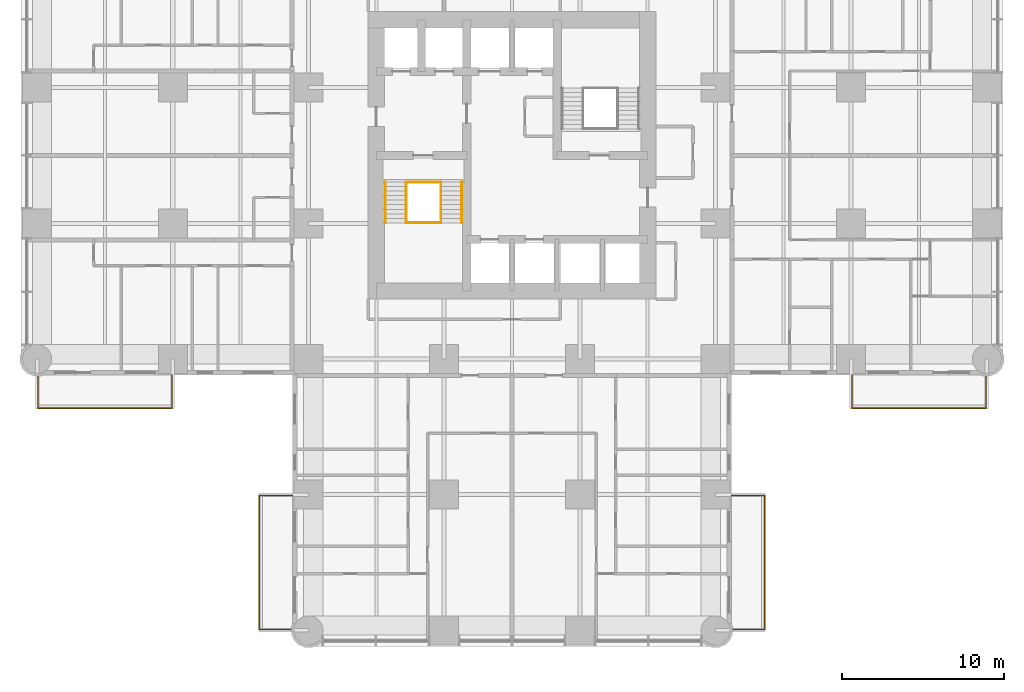
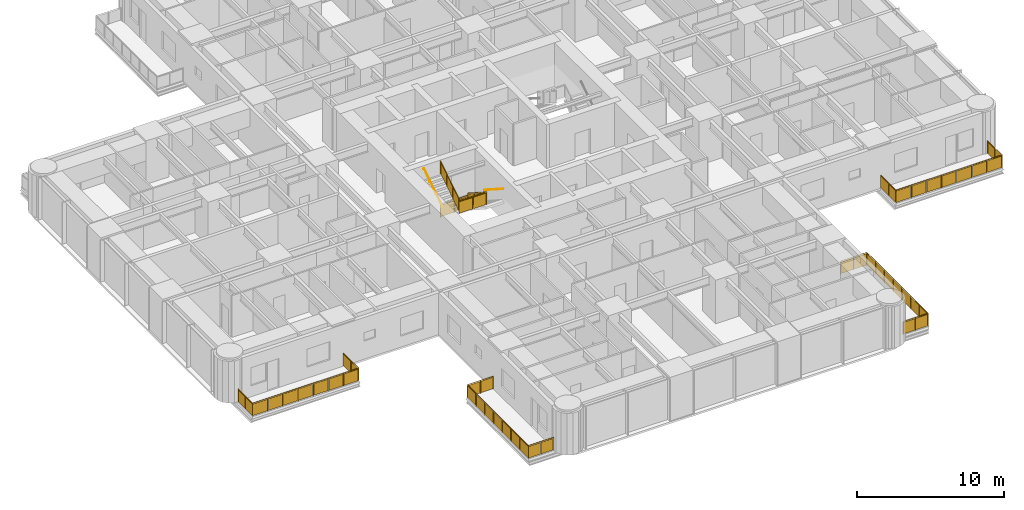
# One storey, part 16 of 17: 10 railings.
"""IFC4 building model written with IfcOpenShell, lengths in metres."""

from ifc_helpers import new_model, si_unit, direction, frame, origin, origin_2d, place, context, subcontext, project, spatial, polyline, circle, outline, extrude, material, constituent, constituent_set, type_object, element, save


model = new_model("IFC4")

# Units and contexts
model_context = context("Model", 3, precision=1e-05, world=origin(), true_north=direction((0.0, 1.0)))
body_context = subcontext(model_context, "Body", "Model", "MODEL_VIEW")
ifc_project = project(units=[si_unit("LENGTHUNIT", "METRE"), si_unit("AREAUNIT", "SQUARE_METRE"), si_unit("VOLUMEUNIT", "CUBIC_METRE"), si_unit("PLANEANGLEUNIT", "RADIAN"), si_unit("MASSUNIT", "GRAM", prefix="KILO")], contexts=[model_context])

# Site, building, storey
site_placement = place(None, origin())
site = spatial("IfcSite", under=ifc_project, at=site_placement, CompositionType="ELEMENT")
building_placement = place(site_placement, origin())
building = spatial("IfcBuilding", under=site, at=building_placement, Name="Torre Alcanfor", CompositionType="ELEMENT")
storey_placement = place(building_placement, frame((0.0, 0.0, 74.10009765625)))
storey = spatial("IfcBuildingStorey", under=building, at=storey_placement, Name="L18", CompositionType="ELEMENT", Elevation=74.10009765625)

# Railings
ifc_material_1 = material(Name="Laminated safety glass", Category="glass")
ifc_constituent_1 = constituent(ifc_material_1, Name="Infill")
ifc_material_2 = material(Name="Stainless steel ASTM A554 Grade MT 316L tube", Category="steel")
ifc_constituent_2 = constituent(ifc_material_2, Name="Posts and rail")
ifc_constituent_set = constituent_set(constituents=[ifc_constituent_1, ifc_constituent_2], Name="Balcony guard glass 1100")
railing_type_1 = type_object("IfcRailingType", Name="Balcony guard glass 1100", PredefinedType="BALUSTRADE", material=ifc_constituent_set)
railing_1_placement = place(storey_placement, frame((50.449951171875, 15.800048828125, 0.0)))
element("IfcRailing", 1, at=railing_1_placement, inside=storey, type_object=railing_type_1, Name="Balcony guard L18-E2", PredefinedType="BALUSTRADE", context=body_context, shape_type="SweptSolid", body=[
    extrude(circle(Radius=0.02392578125, at=origin_2d()), frame((0.0, 0.0, 1.076171875), z_axis=(0.0, -1.0, 0.0), x_axis=(1.0, 0.0, 0.0)), (0.0, 0.0, 1.0), 2.050048828125),
    extrude(circle(Radius=0.02392578125, at=origin_2d()), frame((0.0, -2.050048828125, 1.076171875), z_axis=(1.0, 0.0, 0.0), x_axis=(0.0, 1.0, 0.0)), (0.0, 0.0, 1.0), 8.300048828125),
    extrude(circle(Radius=0.02392578125, at=origin_2d()), frame((8.300048828125, -2.050048828125, 1.076171875), z_axis=(0.0, 1.0, 0.0), x_axis=(-1.0, 0.0, 0.0)), (0.0, 0.0, 1.0), 1.968994140625),
    extrude(circle(Radius=0.02099609375, at=origin_2d()), origin(), (0.0, 0.0, 1.0), 1.052001953125),
    extrude(circle(Radius=0.02099609375, at=origin_2d()), frame((0.0, -1.02490234375, 0.0)), (0.0, 0.0, 1.0), 1.052001953125),
    extrude(circle(Radius=0.02099609375, at=origin_2d()), frame((0.0, -2.050048828125, 0.0)), (0.0, 0.0, 1.0), 1.052001953125),
    extrude(circle(Radius=0.02099609375, at=origin_2d()), frame((1.185791015625, -2.050048828125, 0.0)), (0.0, 0.0, 1.0), 1.052001953125),
    extrude(circle(Radius=0.02099609375, at=origin_2d()), frame((2.371337890625, -2.050048828125, 0.0)), (0.0, 0.0, 1.0), 1.052001953125),
    extrude(circle(Radius=0.02099609375, at=origin_2d()), frame((3.55712890625, -2.050048828125, 0.0)), (0.0, 0.0, 1.0), 1.052001953125),
    extrude(circle(Radius=0.02099609375, at=origin_2d()), frame((4.742919921875, -2.050048828125, 0.0)), (0.0, 0.0, 1.0), 1.052001953125),
    extrude(circle(Radius=0.02099609375, at=origin_2d()), frame((5.9287109375, -2.050048828125, 0.0)), (0.0, 0.0, 1.0), 1.052001953125),
    extrude(circle(Radius=0.02099609375, at=origin_2d()), frame((7.1142578125, -2.050048828125, 0.0)), (0.0, 0.0, 1.0), 1.052001953125),
    extrude(circle(Radius=0.02099609375, at=origin_2d()), frame((8.300048828125, -2.050048828125, 0.0)), (0.0, 0.0, 1.0), 1.052001953125),
    extrude(circle(Radius=0.02099609375, at=origin_2d()), frame((8.300048828125, -1.0654296875, 0.0)), (0.0, 0.0, 1.0), 1.052001953125),
    extrude(circle(Radius=0.02099609375, at=origin_2d()), frame((8.300048828125, -0.0810546875, 0.0)), (0.0, 0.0, 1.0), 1.052001953125),
    extrude(outline(polyline([(0.041015625, 0.050048828125), (0.984130859375, 0.050048828125), (0.984130859375, 1.001953125), (0.041015625, 1.001953125), (0.041015625, 0.050048828125)])), frame((0.005859375, 0.0, 0.0), z_axis=(-1.0, 0.0, 0.0), x_axis=(0.0, -1.0, 0.0)), (0.0, 0.0, 1.0), 0.011962890625),
    extrude(outline(polyline([(1.06591796875, 0.050048828125), (2.009033203125, 0.050048828125), (2.009033203125, 1.001953125), (1.06591796875, 1.001953125), (1.06591796875, 0.050048828125)])), frame((0.005859375, 0.0, 0.0), z_axis=(-1.0, 0.0, 0.0), x_axis=(0.0, -1.0, 0.0)), (0.0, 0.0, 1.0), 0.011962890625),
    extrude(outline(polyline([(0.041015625, 0.050048828125), (1.144775390625, 0.050048828125), (1.144775390625, 1.001953125), (0.041015625, 1.001953125), (0.041015625, 0.050048828125)])), frame((0.0, -2.0439453125, 0.0), z_axis=(0.0, -1.0, 0.0), x_axis=(1.0, 0.0, 0.0)), (0.0, 0.0, 1.0), 0.011962890625),
    extrude(outline(polyline([(1.226806640625, 0.050048828125), (2.330322265625, 0.050048828125), (2.330322265625, 1.001953125), (1.226806640625, 1.001953125), (1.226806640625, 0.050048828125)])), frame((0.0, -2.0439453125, 0.0), z_axis=(0.0, -1.0, 0.0), x_axis=(1.0, 0.0, 0.0)), (0.0, 0.0, 1.0), 0.011962890625),
    extrude(outline(polyline([(2.412353515625, 0.050048828125), (3.51611328125, 0.050048828125), (3.51611328125, 1.001953125), (2.412353515625, 1.001953125), (2.412353515625, 0.050048828125)])), frame((0.0, -2.0439453125, 0.0), z_axis=(0.0, -1.0, 0.0), x_axis=(1.0, 0.0, 0.0)), (0.0, 0.0, 1.0), 0.011962890625),
    extrude(outline(polyline([(3.59814453125, 0.050048828125), (4.701904296875, 0.050048828125), (4.701904296875, 1.001953125), (3.59814453125, 1.001953125), (3.59814453125, 0.050048828125)])), frame((0.0, -2.0439453125, 0.0), z_axis=(0.0, -1.0, 0.0), x_axis=(1.0, 0.0, 0.0)), (0.0, 0.0, 1.0), 0.011962890625),
    extrude(outline(polyline([(4.783935546875, 0.050048828125), (5.8876953125, 0.050048828125), (5.8876953125, 1.001953125), (4.783935546875, 1.001953125), (4.783935546875, 0.050048828125)])), frame((0.0, -2.0439453125, 0.0), z_axis=(0.0, -1.0, 0.0), x_axis=(1.0, 0.0, 0.0)), (0.0, 0.0, 1.0), 0.011962890625),
    extrude(outline(polyline([(5.9697265625, 0.050048828125), (7.0732421875, 0.050048828125), (7.0732421875, 1.001953125), (5.9697265625, 1.001953125), (5.9697265625, 0.050048828125)])), frame((0.0, -2.0439453125, 0.0), z_axis=(0.0, -1.0, 0.0), x_axis=(1.0, 0.0, 0.0)), (0.0, 0.0, 1.0), 0.011962890625),
    extrude(outline(polyline([(7.1552734375, 0.050048828125), (8.259033203125, 0.050048828125), (8.259033203125, 1.001953125), (7.1552734375, 1.001953125), (7.1552734375, 0.050048828125)])), frame((0.0, -2.0439453125, 0.0), z_axis=(0.0, -1.0, 0.0), x_axis=(1.0, 0.0, 0.0)), (0.0, 0.0, 1.0), 0.011962890625),
    extrude(outline(polyline([(0.041015625, 0.050048828125), (0.943603515625, 0.050048828125), (0.943603515625, 1.001953125), (0.041015625, 1.001953125), (0.041015625, 0.050048828125)])), frame((8.2939453125, -2.050048828125, 0.0), z_axis=(1.0, 0.0, 0.0), x_axis=(0.0, 1.0, 0.0)), (0.0, 0.0, 1.0), 0.011962890625),
    extrude(outline(polyline([(1.025390625, 0.050048828125), (1.927978515625, 0.050048828125), (1.927978515625, 1.001953125), (1.025390625, 1.001953125), (1.025390625, 0.050048828125)])), frame((8.2939453125, -2.050048828125, 0.0), z_axis=(1.0, 0.0, 0.0), x_axis=(0.0, 1.0, 0.0)), (0.0, 0.0, 1.0), 0.011962890625),
])
railing_2_placement = place(storey_placement, frame((43.0, 8.35009765625, 0.0)))
element("IfcRailing", 2, at=railing_2_placement, inside=storey, type_object=railing_type_1, Name="Balcony guard L18-S1", PredefinedType="BALUSTRADE", context=body_context, shape_type="SweptSolid", body=[
    extrude(circle(Radius=0.02392578125, at=origin_2d()), frame((0.0, 0.0, 1.076171875), z_axis=(1.0, 0.0, 0.0), x_axis=(0.0, 1.0, 0.0)), (0.0, 0.0, 1.0), 2.050048828125),
    extrude(circle(Radius=0.02392578125, at=origin_2d()), frame((2.050048828125, 0.0, 1.076171875), z_axis=(0.0, -1.0, 0.0), x_axis=(1.0, 0.0, 0.0)), (0.0, 0.0, 1.0), 8.300048828125),
    extrude(circle(Radius=0.02392578125, at=origin_2d()), frame((2.050048828125, -8.300048828125, 1.076171875), z_axis=(-1.0, 0.0, 0.0), x_axis=(0.0, -1.0, 0.0)), (0.0, 0.0, 1.0), 1.968994140625),
    extrude(circle(Radius=0.02099609375, at=origin_2d()), origin(), (0.0, 0.0, 1.0), 1.052001953125),
    extrude(circle(Radius=0.02099609375, at=origin_2d()), frame((1.02490234375, 0.0, 0.0)), (0.0, 0.0, 1.0), 1.052001953125),
    extrude(circle(Radius=0.02099609375, at=origin_2d()), frame((2.050048828125, 0.0, 0.0)), (0.0, 0.0, 1.0), 1.052001953125),
    extrude(circle(Radius=0.02099609375, at=origin_2d()), frame((2.050048828125, -1.185791015625, 0.0)), (0.0, 0.0, 1.0), 1.052001953125),
    extrude(circle(Radius=0.02099609375, at=origin_2d()), frame((2.050048828125, -2.371337890625, 0.0)), (0.0, 0.0, 1.0), 1.052001953125),
    extrude(circle(Radius=0.02099609375, at=origin_2d()), frame((2.050048828125, -3.55712890625, 0.0)), (0.0, 0.0, 1.0), 1.052001953125),
    extrude(circle(Radius=0.02099609375, at=origin_2d()), frame((2.050048828125, -4.742919921875, 0.0)), (0.0, 0.0, 1.0), 1.052001953125),
    extrude(circle(Radius=0.02099609375, at=origin_2d()), frame((2.050048828125, -5.9287109375, 0.0)), (0.0, 0.0, 1.0), 1.052001953125),
    extrude(circle(Radius=0.02099609375, at=origin_2d()), frame((2.050048828125, -7.1142578125, 0.0)), (0.0, 0.0, 1.0), 1.052001953125),
    extrude(circle(Radius=0.02099609375, at=origin_2d()), frame((2.050048828125, -8.300048828125, 0.0)), (0.0, 0.0, 1.0), 1.052001953125),
    extrude(circle(Radius=0.02099609375, at=origin_2d()), frame((1.0654296875, -8.300048828125, 0.0)), (0.0, 0.0, 1.0), 1.052001953125),
    extrude(circle(Radius=0.02099609375, at=origin_2d()), frame((0.0810546875, -8.300048828125, 0.0)), (0.0, 0.0, 1.0), 1.052001953125),
    extrude(outline(polyline([(0.041015625, 0.050048828125), (0.984130859375, 0.050048828125), (0.984130859375, 1.001953125), (0.041015625, 1.001953125), (0.041015625, 0.050048828125)])), frame((0.0, 0.005859375, 0.0), z_axis=(0.0, -1.0, 0.0), x_axis=(1.0, 0.0, 0.0)), (0.0, 0.0, 1.0), 0.011962890625),
    extrude(outline(polyline([(1.06591796875, 0.050048828125), (2.009033203125, 0.050048828125), (2.009033203125, 1.001953125), (1.06591796875, 1.001953125), (1.06591796875, 0.050048828125)])), frame((0.0, 0.005859375, 0.0), z_axis=(0.0, -1.0, 0.0), x_axis=(1.0, 0.0, 0.0)), (0.0, 0.0, 1.0), 0.011962890625),
    extrude(outline(polyline([(0.041015625, 0.050048828125), (1.144775390625, 0.050048828125), (1.144775390625, 1.001953125), (0.041015625, 1.001953125), (0.041015625, 0.050048828125)])), frame((2.05615234375, 0.0, 0.0), z_axis=(-1.0, 0.0, 0.0), x_axis=(0.0, -1.0, 0.0)), (0.0, 0.0, 1.0), 0.011962890625),
    extrude(outline(polyline([(1.226806640625, 0.050048828125), (2.330322265625, 0.050048828125), (2.330322265625, 1.001953125), (1.226806640625, 1.001953125), (1.226806640625, 0.050048828125)])), frame((2.05615234375, 0.0, 0.0), z_axis=(-1.0, 0.0, 0.0), x_axis=(0.0, -1.0, 0.0)), (0.0, 0.0, 1.0), 0.011962890625),
    extrude(outline(polyline([(2.412353515625, 0.050048828125), (3.51611328125, 0.050048828125), (3.51611328125, 1.001953125), (2.412353515625, 1.001953125), (2.412353515625, 0.050048828125)])), frame((2.05615234375, 0.0, 0.0), z_axis=(-1.0, 0.0, 0.0), x_axis=(0.0, -1.0, 0.0)), (0.0, 0.0, 1.0), 0.011962890625),
    extrude(outline(polyline([(3.59814453125, 0.050048828125), (4.701904296875, 0.050048828125), (4.701904296875, 1.001953125), (3.59814453125, 1.001953125), (3.59814453125, 0.050048828125)])), frame((2.05615234375, 0.0, 0.0), z_axis=(-1.0, 0.0, 0.0), x_axis=(0.0, -1.0, 0.0)), (0.0, 0.0, 1.0), 0.011962890625),
    extrude(outline(polyline([(4.783935546875, 0.050048828125), (5.8876953125, 0.050048828125), (5.8876953125, 1.001953125), (4.783935546875, 1.001953125), (4.783935546875, 0.050048828125)])), frame((2.05615234375, 0.0, 0.0), z_axis=(-1.0, 0.0, 0.0), x_axis=(0.0, -1.0, 0.0)), (0.0, 0.0, 1.0), 0.011962890625),
    extrude(outline(polyline([(5.9697265625, 0.050048828125), (7.0732421875, 0.050048828125), (7.0732421875, 1.001953125), (5.9697265625, 1.001953125), (5.9697265625, 0.050048828125)])), frame((2.05615234375, 0.0, 0.0), z_axis=(-1.0, 0.0, 0.0), x_axis=(0.0, -1.0, 0.0)), (0.0, 0.0, 1.0), 0.011962890625),
    extrude(outline(polyline([(7.1552734375, 0.050048828125), (8.259033203125, 0.050048828125), (8.259033203125, 1.001953125), (7.1552734375, 1.001953125), (7.1552734375, 0.050048828125)])), frame((2.05615234375, 0.0, 0.0), z_axis=(-1.0, 0.0, 0.0), x_axis=(0.0, -1.0, 0.0)), (0.0, 0.0, 1.0), 0.011962890625),
    extrude(outline(polyline([(0.041015625, 0.050048828125), (0.943603515625, 0.050048828125), (0.943603515625, 1.001953125), (0.041015625, 1.001953125), (0.041015625, 0.050048828125)])), frame((2.050048828125, -8.30615234375, 0.0), z_axis=(0.0, 1.0, 0.0), x_axis=(-1.0, 0.0, 0.0)), (0.0, 0.0, 1.0), 0.011962890625),
    extrude(outline(polyline([(1.025390625, 0.050048828125), (1.927978515625, 0.050048828125), (1.927978515625, 1.001953125), (1.025390625, 1.001953125), (1.025390625, 0.050048828125)])), frame((2.050048828125, -8.30615234375, 0.0), z_axis=(0.0, 1.0, 0.0), x_axis=(-1.0, 0.0, 0.0)), (0.0, 0.0, 1.0), 0.011962890625),
])
railing_3_placement = place(storey_placement, frame((15.800048828125, 8.35009765625, 0.0)))
element("IfcRailing", 3, at=railing_3_placement, inside=storey, type_object=railing_type_1, Name="Balcony guard L18-S2", PredefinedType="BALUSTRADE", context=body_context, shape_type="SweptSolid", body=[
    extrude(circle(Radius=0.02392578125, at=origin_2d()), frame((0.0, 0.0, 1.076171875), z_axis=(-1.0, 0.0, 0.0), x_axis=(0.0, -1.0, 0.0)), (0.0, 0.0, 1.0), 2.050048828125),
    extrude(circle(Radius=0.02392578125, at=origin_2d()), frame((-2.050048828125, 0.0, 1.076171875), z_axis=(0.0, -1.0, 0.0), x_axis=(1.0, 0.0, 0.0)), (0.0, 0.0, 1.0), 8.300048828125),
    extrude(circle(Radius=0.02392578125, at=origin_2d()), frame((-2.050048828125, -8.300048828125, 1.076171875), z_axis=(1.0, 0.0, 0.0), x_axis=(0.0, 1.0, 0.0)), (0.0, 0.0, 1.0), 1.968994140625),
    extrude(circle(Radius=0.02099609375, at=origin_2d()), origin(), (0.0, 0.0, 1.0), 1.052001953125),
    extrude(circle(Radius=0.02099609375, at=origin_2d()), frame((-1.02490234375, 0.0, 0.0)), (0.0, 0.0, 1.0), 1.052001953125),
    extrude(circle(Radius=0.02099609375, at=origin_2d()), frame((-2.050048828125, 0.0, 0.0)), (0.0, 0.0, 1.0), 1.052001953125),
    extrude(circle(Radius=0.02099609375, at=origin_2d()), frame((-2.050048828125, -1.185791015625, 0.0)), (0.0, 0.0, 1.0), 1.052001953125),
    extrude(circle(Radius=0.02099609375, at=origin_2d()), frame((-2.050048828125, -2.371337890625, 0.0)), (0.0, 0.0, 1.0), 1.052001953125),
    extrude(circle(Radius=0.02099609375, at=origin_2d()), frame((-2.050048828125, -3.55712890625, 0.0)), (0.0, 0.0, 1.0), 1.052001953125),
    extrude(circle(Radius=0.02099609375, at=origin_2d()), frame((-2.050048828125, -4.742919921875, 0.0)), (0.0, 0.0, 1.0), 1.052001953125),
    extrude(circle(Radius=0.02099609375, at=origin_2d()), frame((-2.050048828125, -5.9287109375, 0.0)), (0.0, 0.0, 1.0), 1.052001953125),
    extrude(circle(Radius=0.02099609375, at=origin_2d()), frame((-2.050048828125, -7.1142578125, 0.0)), (0.0, 0.0, 1.0), 1.052001953125),
    extrude(circle(Radius=0.02099609375, at=origin_2d()), frame((-2.050048828125, -8.300048828125, 0.0)), (0.0, 0.0, 1.0), 1.052001953125),
    extrude(circle(Radius=0.02099609375, at=origin_2d()), frame((-1.0654296875, -8.300048828125, 0.0)), (0.0, 0.0, 1.0), 1.052001953125),
    extrude(circle(Radius=0.02099609375, at=origin_2d()), frame((-0.0810546875, -8.300048828125, 0.0)), (0.0, 0.0, 1.0), 1.052001953125),
    extrude(outline(polyline([(0.041015625, 0.050048828125), (0.984130859375, 0.050048828125), (0.984130859375, 1.001953125), (0.041015625, 1.001953125), (0.041015625, 0.050048828125)])), frame((0.0, -0.005859375, 0.0), z_axis=(0.0, 1.0, 0.0), x_axis=(-1.0, 0.0, 0.0)), (0.0, 0.0, 1.0), 0.011962890625),
    extrude(outline(polyline([(1.06591796875, 0.050048828125), (2.009033203125, 0.050048828125), (2.009033203125, 1.001953125), (1.06591796875, 1.001953125), (1.06591796875, 0.050048828125)])), frame((0.0, -0.005859375, 0.0), z_axis=(0.0, 1.0, 0.0), x_axis=(-1.0, 0.0, 0.0)), (0.0, 0.0, 1.0), 0.011962890625),
    extrude(outline(polyline([(0.041015625, 0.050048828125), (1.144775390625, 0.050048828125), (1.144775390625, 1.001953125), (0.041015625, 1.001953125), (0.041015625, 0.050048828125)])), frame((-2.0439453125, 0.0, 0.0), z_axis=(-1.0, 0.0, 0.0), x_axis=(0.0, -1.0, 0.0)), (0.0, 0.0, 1.0), 0.011962890625),
    extrude(outline(polyline([(1.226806640625, 0.050048828125), (2.330322265625, 0.050048828125), (2.330322265625, 1.001953125), (1.226806640625, 1.001953125), (1.226806640625, 0.050048828125)])), frame((-2.0439453125, 0.0, 0.0), z_axis=(-1.0, 0.0, 0.0), x_axis=(0.0, -1.0, 0.0)), (0.0, 0.0, 1.0), 0.011962890625),
    extrude(outline(polyline([(2.412353515625, 0.050048828125), (3.51611328125, 0.050048828125), (3.51611328125, 1.001953125), (2.412353515625, 1.001953125), (2.412353515625, 0.050048828125)])), frame((-2.0439453125, 0.0, 0.0), z_axis=(-1.0, 0.0, 0.0), x_axis=(0.0, -1.0, 0.0)), (0.0, 0.0, 1.0), 0.011962890625),
    extrude(outline(polyline([(3.59814453125, 0.050048828125), (4.701904296875, 0.050048828125), (4.701904296875, 1.001953125), (3.59814453125, 1.001953125), (3.59814453125, 0.050048828125)])), frame((-2.0439453125, 0.0, 0.0), z_axis=(-1.0, 0.0, 0.0), x_axis=(0.0, -1.0, 0.0)), (0.0, 0.0, 1.0), 0.011962890625),
    extrude(outline(polyline([(4.783935546875, 0.050048828125), (5.8876953125, 0.050048828125), (5.8876953125, 1.001953125), (4.783935546875, 1.001953125), (4.783935546875, 0.050048828125)])), frame((-2.0439453125, 0.0, 0.0), z_axis=(-1.0, 0.0, 0.0), x_axis=(0.0, -1.0, 0.0)), (0.0, 0.0, 1.0), 0.011962890625),
    extrude(outline(polyline([(5.9697265625, 0.050048828125), (7.0732421875, 0.050048828125), (7.0732421875, 1.001953125), (5.9697265625, 1.001953125), (5.9697265625, 0.050048828125)])), frame((-2.0439453125, 0.0, 0.0), z_axis=(-1.0, 0.0, 0.0), x_axis=(0.0, -1.0, 0.0)), (0.0, 0.0, 1.0), 0.011962890625),
    extrude(outline(polyline([(7.1552734375, 0.050048828125), (8.259033203125, 0.050048828125), (8.259033203125, 1.001953125), (7.1552734375, 1.001953125), (7.1552734375, 0.050048828125)])), frame((-2.0439453125, 0.0, 0.0), z_axis=(-1.0, 0.0, 0.0), x_axis=(0.0, -1.0, 0.0)), (0.0, 0.0, 1.0), 0.011962890625),
    extrude(outline(polyline([(0.041015625, 0.050048828125), (0.943603515625, 0.050048828125), (0.943603515625, 1.001953125), (0.041015625, 1.001953125), (0.041015625, 0.050048828125)])), frame((-2.050048828125, -8.2939453125, 0.0), z_axis=(0.0, -1.0, 0.0), x_axis=(1.0, 0.0, 0.0)), (0.0, 0.0, 1.0), 0.011962890625),
    extrude(outline(polyline([(1.025390625, 0.050048828125), (1.927978515625, 0.050048828125), (1.927978515625, 1.001953125), (1.025390625, 1.001953125), (1.025390625, 0.050048828125)])), frame((-2.050048828125, -8.2939453125, 0.0), z_axis=(0.0, -1.0, 0.0), x_axis=(1.0, 0.0, 0.0)), (0.0, 0.0, 1.0), 0.011962890625),
])
railing_4_placement = place(storey_placement, frame((8.35009765625, 15.800048828125, 0.0)))
element("IfcRailing", 4, at=railing_4_placement, inside=storey, type_object=railing_type_1, Name="Balcony guard L18-W1", PredefinedType="BALUSTRADE", context=body_context, shape_type="SweptSolid", body=[
    extrude(circle(Radius=0.02392578125, at=origin_2d()), frame((0.0, 0.0, 1.076171875), z_axis=(0.0, -1.0, 0.0), x_axis=(1.0, 0.0, 0.0)), (0.0, 0.0, 1.0), 2.050048828125),
    extrude(circle(Radius=0.02392578125, at=origin_2d()), frame((0.0, -2.050048828125, 1.076171875), z_axis=(-1.0, 0.0, 0.0), x_axis=(0.0, -1.0, 0.0)), (0.0, 0.0, 1.0), 8.300048828125),
    extrude(circle(Radius=0.02392578125, at=origin_2d()), frame((-8.300048828125, -2.050048828125, 1.076171875), z_axis=(0.0, 1.0, 0.0), x_axis=(-1.0, 0.0, 0.0)), (0.0, 0.0, 1.0), 1.968994140625),
    extrude(circle(Radius=0.02099609375, at=origin_2d()), origin(), (0.0, 0.0, 1.0), 1.052001953125),
    extrude(circle(Radius=0.02099609375, at=origin_2d()), frame((0.0, -1.02490234375, 0.0)), (0.0, 0.0, 1.0), 1.052001953125),
    extrude(circle(Radius=0.02099609375, at=origin_2d()), frame((0.0, -2.050048828125, 0.0)), (0.0, 0.0, 1.0), 1.052001953125),
    extrude(circle(Radius=0.02099609375, at=origin_2d()), frame((-1.185791015625, -2.050048828125, 0.0)), (0.0, 0.0, 1.0), 1.052001953125),
    extrude(circle(Radius=0.02099609375, at=origin_2d()), frame((-2.371337890625, -2.050048828125, 0.0)), (0.0, 0.0, 1.0), 1.052001953125),
    extrude(circle(Radius=0.02099609375, at=origin_2d()), frame((-3.55712890625, -2.050048828125, 0.0)), (0.0, 0.0, 1.0), 1.052001953125),
    extrude(circle(Radius=0.02099609375, at=origin_2d()), frame((-4.742919921875, -2.050048828125, 0.0)), (0.0, 0.0, 1.0), 1.052001953125),
    extrude(circle(Radius=0.02099609375, at=origin_2d()), frame((-5.9287109375, -2.050048828125, 0.0)), (0.0, 0.0, 1.0), 1.052001953125),
    extrude(circle(Radius=0.02099609375, at=origin_2d()), frame((-7.1142578125, -2.050048828125, 0.0)), (0.0, 0.0, 1.0), 1.052001953125),
    extrude(circle(Radius=0.02099609375, at=origin_2d()), frame((-8.300048828125, -2.050048828125, 0.0)), (0.0, 0.0, 1.0), 1.052001953125),
    extrude(circle(Radius=0.02099609375, at=origin_2d()), frame((-8.300048828125, -1.0654296875, 0.0)), (0.0, 0.0, 1.0), 1.052001953125),
    extrude(circle(Radius=0.02099609375, at=origin_2d()), frame((-8.300048828125, -0.0810546875, 0.0)), (0.0, 0.0, 1.0), 1.052001953125),
    extrude(outline(polyline([(0.041015625, 0.050048828125), (0.984130859375, 0.050048828125), (0.984130859375, 1.001953125), (0.041015625, 1.001953125), (0.041015625, 0.050048828125)])), frame((0.005859375, 0.0, 0.0), z_axis=(-1.0, 0.0, 0.0), x_axis=(0.0, -1.0, 0.0)), (0.0, 0.0, 1.0), 0.011962890625),
    extrude(outline(polyline([(1.06591796875, 0.050048828125), (2.009033203125, 0.050048828125), (2.009033203125, 1.001953125), (1.06591796875, 1.001953125), (1.06591796875, 0.050048828125)])), frame((0.005859375, 0.0, 0.0), z_axis=(-1.0, 0.0, 0.0), x_axis=(0.0, -1.0, 0.0)), (0.0, 0.0, 1.0), 0.011962890625),
    extrude(outline(polyline([(0.041015625, 0.050048828125), (1.144775390625, 0.050048828125), (1.144775390625, 1.001953125), (0.041015625, 1.001953125), (0.041015625, 0.050048828125)])), frame((0.0, -2.05615234375, 0.0), z_axis=(0.0, 1.0, 0.0), x_axis=(-1.0, 0.0, 0.0)), (0.0, 0.0, 1.0), 0.011962890625),
    extrude(outline(polyline([(1.226806640625, 0.050048828125), (2.330322265625, 0.050048828125), (2.330322265625, 1.001953125), (1.226806640625, 1.001953125), (1.226806640625, 0.050048828125)])), frame((0.0, -2.05615234375, 0.0), z_axis=(0.0, 1.0, 0.0), x_axis=(-1.0, 0.0, 0.0)), (0.0, 0.0, 1.0), 0.011962890625),
    extrude(outline(polyline([(2.412353515625, 0.050048828125), (3.51611328125, 0.050048828125), (3.51611328125, 1.001953125), (2.412353515625, 1.001953125), (2.412353515625, 0.050048828125)])), frame((0.0, -2.05615234375, 0.0), z_axis=(0.0, 1.0, 0.0), x_axis=(-1.0, 0.0, 0.0)), (0.0, 0.0, 1.0), 0.011962890625),
    extrude(outline(polyline([(3.59814453125, 0.050048828125), (4.701904296875, 0.050048828125), (4.701904296875, 1.001953125), (3.59814453125, 1.001953125), (3.59814453125, 0.050048828125)])), frame((0.0, -2.05615234375, 0.0), z_axis=(0.0, 1.0, 0.0), x_axis=(-1.0, 0.0, 0.0)), (0.0, 0.0, 1.0), 0.011962890625),
    extrude(outline(polyline([(4.783935546875, 0.050048828125), (5.8876953125, 0.050048828125), (5.8876953125, 1.001953125), (4.783935546875, 1.001953125), (4.783935546875, 0.050048828125)])), frame((0.0, -2.05615234375, 0.0), z_axis=(0.0, 1.0, 0.0), x_axis=(-1.0, 0.0, 0.0)), (0.0, 0.0, 1.0), 0.011962890625),
    extrude(outline(polyline([(5.9697265625, 0.050048828125), (7.0732421875, 0.050048828125), (7.0732421875, 1.001953125), (5.9697265625, 1.001953125), (5.9697265625, 0.050048828125)])), frame((0.0, -2.05615234375, 0.0), z_axis=(0.0, 1.0, 0.0), x_axis=(-1.0, 0.0, 0.0)), (0.0, 0.0, 1.0), 0.011962890625),
    extrude(outline(polyline([(7.1552734375, 0.050048828125), (8.259033203125, 0.050048828125), (8.259033203125, 1.001953125), (7.1552734375, 1.001953125), (7.1552734375, 0.050048828125)])), frame((0.0, -2.05615234375, 0.0), z_axis=(0.0, 1.0, 0.0), x_axis=(-1.0, 0.0, 0.0)), (0.0, 0.0, 1.0), 0.011962890625),
    extrude(outline(polyline([(0.041015625, 0.050048828125), (0.943603515625, 0.050048828125), (0.943603515625, 1.001953125), (0.041015625, 1.001953125), (0.041015625, 0.050048828125)])), frame((-8.30615234375, -2.050048828125, 0.0), z_axis=(1.0, 0.0, 0.0), x_axis=(0.0, 1.0, 0.0)), (0.0, 0.0, 1.0), 0.011962890625),
    extrude(outline(polyline([(1.025390625, 0.050048828125), (1.927978515625, 0.050048828125), (1.927978515625, 1.001953125), (1.025390625, 1.001953125), (1.025390625, 0.050048828125)])), frame((-8.30615234375, -2.050048828125, 0.0), z_axis=(1.0, 0.0, 0.0), x_axis=(0.0, 1.0, 0.0)), (0.0, 0.0, 1.0), 0.011962890625),
])
ifc_material_3 = material(Name="Steel ASTM A500 Grade C hollow sections", Category="steel")
railing_type_2 = type_object("IfcRailingType", Name="Stair guard and handrail 1100", PredefinedType="GUARDRAIL", material=ifc_material_3)
railing_5_placement = place(storey_placement, frame((25.0, 27.75, 0.179931640625)))
element("IfcRailing", 5, at=railing_5_placement, inside=storey, type_object=railing_type_2, Name="Stair guard S1 L18 flight 1", PredefinedType="GUARDRAIL", context=body_context, shape_type="SweptSolid", body=[
    extrude(circle(Radius=0.02392578125, at=origin_2d()), frame((0.0, 0.0, 1.076171875), z_axis=(0.0, -0.841199657755, 0.540724639528), x_axis=(1.0, 0.0, 0.0)), (0.0, 0.0, 1.0), 2.995849609375),
    extrude(circle(Radius=0.02099609375, at=origin_2d()), origin(), (0.0, 0.0, 1.0), 1.052001953125),
    extrude(circle(Radius=0.02099609375, at=origin_2d()), frame((0.0, -0.840087890625, 0.5400390625)), (0.0, 0.0, 1.0), 1.052001953125),
    extrude(circle(Radius=0.02099609375, at=origin_2d()), frame((0.0, -1.679931640625, 1.079833984375)), (0.0, 0.0, 1.0), 1.052001953125),
    extrude(circle(Radius=0.02099609375, at=origin_2d()), frame((0.0, -2.52001953125, 1.619873046875)), (0.0, 0.0, 1.0), 1.052001953125),
    extrude(outline(polyline([(0.041015625, 0.076416015625), (0.799072265625, 0.563720703125), (0.799072265625, 1.515625), (0.041015625, 1.0283203125), (0.041015625, 0.076416015625)])), frame((0.005859375, 0.0, 0.0), z_axis=(-1.0, 0.0, 0.0), x_axis=(0.0, -1.0, 0.0)), (0.0, 0.0, 1.0), 0.011962890625),
    extrude(outline(polyline([(0.881103515625, 0.6162109375), (1.638916015625, 1.103515625), (1.638916015625, 2.0556640625), (0.881103515625, 1.568359375), (0.881103515625, 0.6162109375)])), frame((0.005859375, 0.0, 0.0), z_axis=(-1.0, 0.0, 0.0), x_axis=(0.0, -1.0, 0.0)), (0.0, 0.0, 1.0), 0.011962890625),
    extrude(outline(polyline([(1.720947265625, 1.15625), (2.47900390625, 1.6435546875), (2.47900390625, 2.595458984375), (1.720947265625, 2.108154296875), (1.720947265625, 1.15625)])), frame((0.005859375, 0.0, 0.0), z_axis=(-1.0, 0.0, 0.0), x_axis=(0.0, -1.0, 0.0)), (0.0, 0.0, 1.0), 0.011962890625),
])
railing_6_placement = place(storey_placement, frame((22.85009765625, 25.22998046875, 1.97998046875)))
element("IfcRailing", 6, at=railing_6_placement, inside=storey, type_object=railing_type_2, Name="Stair guard S1 L18 flight 2", PredefinedType="GUARDRAIL", context=body_context, shape_type="SweptSolid", body=[
    extrude(circle(Radius=0.02392578125, at=origin_2d()), frame((0.0, 0.0, 1.076171875), z_axis=(0.0, 0.841199657755, 0.540724639528), x_axis=(-1.0, 0.0, 0.0)), (0.0, 0.0, 1.0), 2.995849609375),
    extrude(circle(Radius=0.02099609375, at=origin_2d()), origin(), (0.0, 0.0, 1.0), 1.052001953125),
    extrude(circle(Radius=0.02099609375, at=origin_2d()), frame((0.0, 0.840087890625, 0.5400390625)), (0.0, 0.0, 1.0), 1.052001953125),
    extrude(circle(Radius=0.02099609375, at=origin_2d()), frame((0.0, 1.679931640625, 1.079833984375)), (0.0, 0.0, 1.0), 1.052001953125),
    extrude(circle(Radius=0.02099609375, at=origin_2d()), frame((0.0, 2.52001953125, 1.619873046875)), (0.0, 0.0, 1.0), 1.052001953125),
    extrude(outline(polyline([(0.041015625, 0.076416015625), (0.799072265625, 0.563720703125), (0.799072265625, 1.515625), (0.041015625, 1.0283203125), (0.041015625, 0.076416015625)])), frame((-0.005859375, 0.0, 0.0), z_axis=(1.0, 0.0, 0.0), x_axis=(0.0, 1.0, 0.0)), (0.0, 0.0, 1.0), 0.011962890625),
    extrude(outline(polyline([(0.881103515625, 0.6162109375), (1.638916015625, 1.103515625), (1.638916015625, 2.0556640625), (0.881103515625, 1.568359375), (0.881103515625, 0.6162109375)])), frame((-0.005859375, 0.0, 0.0), z_axis=(1.0, 0.0, 0.0), x_axis=(0.0, 1.0, 0.0)), (0.0, 0.0, 1.0), 0.011962890625),
    extrude(outline(polyline([(1.720947265625, 1.15625), (2.47900390625, 1.6435546875), (2.47900390625, 2.595458984375), (1.720947265625, 2.108154296875), (1.720947265625, 1.15625)])), frame((-0.005859375, 0.0, 0.0), z_axis=(1.0, 0.0, 0.0), x_axis=(0.0, 1.0, 0.0)), (0.0, 0.0, 1.0), 0.011962890625),
])
for number, where, name in (
    (7, (22.85009765625, 27.75, 0.0), "Stair well guard S1 L18 floor landing"),
    (8, (22.85009765625, 25.22998046875, 1.7998046875), "Stair well guard S1 L18 half landing"),
):
    element("IfcRailing", number, at=place(storey_placement, frame(where)), inside=storey, type_object=railing_type_2, Name=name, PredefinedType="GUARDRAIL", context=body_context, shape_type="SweptSolid", body=[
        extrude(circle(Radius=0.02392578125, at=origin_2d()), frame((0.0, 0.0, 1.076171875), z_axis=(1.0, 0.0, 0.0), x_axis=(0.0, 1.0, 0.0)), (0.0, 0.0, 1.0), 2.14990234375),
        extrude(circle(Radius=0.02099609375, at=origin_2d()), origin(), (0.0, 0.0, 1.0), 1.052001953125),
        extrude(circle(Radius=0.02099609375, at=origin_2d()), frame((1.074951171875, 0.0, 0.0)), (0.0, 0.0, 1.0), 1.052001953125),
        extrude(circle(Radius=0.02099609375, at=origin_2d()), frame((2.14990234375, 0.0, 0.0)), (0.0, 0.0, 1.0), 1.052001953125),
        extrude(outline(polyline([(0.041015625, 0.050048828125), (1.033935546875, 0.050048828125), (1.033935546875, 1.001953125), (0.041015625, 1.001953125), (0.041015625, 0.050048828125)])), frame((0.0, 0.005859375, 0.0), z_axis=(0.0, -1.0, 0.0), x_axis=(1.0, 0.0, 0.0)), (0.0, 0.0, 1.0), 0.011962890625),
        extrude(outline(polyline([(1.115966796875, 0.050048828125), (2.10888671875, 0.050048828125), (2.10888671875, 1.001953125), (1.115966796875, 1.001953125), (1.115966796875, 0.050048828125)])), frame((0.0, 0.005859375, 0.0), z_axis=(0.0, -1.0, 0.0), x_axis=(1.0, 0.0, 0.0)), (0.0, 0.0, 1.0), 0.011962890625),
    ])
ifc_material_4 = material(Name="Steel ASTM A500 Grade C hollow sections", Category="steel")
railing_type_3 = type_object("IfcRailingType", Name="Stair wall handrail 900", PredefinedType="HANDRAIL", material=ifc_material_4)
railing_7_placement = place(storey_placement, frame((26.284912109375, 27.75, 0.179931640625)))
element("IfcRailing", 9, at=railing_7_placement, inside=storey, type_object=railing_type_3, Name="Stair handrail S1 L18 flight 1", PredefinedType="HANDRAIL", context=body_context, shape_type="SweptSolid", body=[
    extrude(circle(Radius=0.02392578125, at=origin_2d()), frame((0.0, 0.0, 0.8759765625), z_axis=(0.0, -0.841199657755, 0.540724639528), x_axis=(1.0, 0.0, 0.0)), (0.0, 0.0, 1.0), 2.995849609375),
    extrude(circle(Radius=0.008056640625, at=origin_2d()), frame((0.0, 0.0, 0.8759765625), z_axis=(1.0, 0.0, 0.0), x_axis=(0.0, 0.0, 1.0)), (0.0, 0.0, 1.0), 0.06494140625),
    extrude(circle(Radius=0.008056640625, at=origin_2d()), frame((0.0, -0.840087890625, 1.415771484375), z_axis=(1.0, 0.0, 0.0), x_axis=(0.0, 0.0, 1.0)), (0.0, 0.0, 1.0), 0.06494140625),
    extrude(circle(Radius=0.008056640625, at=origin_2d()), frame((0.0, -1.679931640625, 1.955810546875), z_axis=(1.0, 0.0, 0.0), x_axis=(0.0, 0.0, 1.0)), (0.0, 0.0, 1.0), 0.06494140625),
    extrude(circle(Radius=0.008056640625, at=origin_2d()), frame((0.0, -2.52001953125, 2.49560546875), z_axis=(1.0, 0.0, 0.0), x_axis=(0.0, 0.0, 1.0)), (0.0, 0.0, 1.0), 0.06494140625),
])
railing_8_placement = place(storey_placement, frame((21.56494140625, 25.22998046875, 1.97998046875)))
element("IfcRailing", 10, at=railing_8_placement, inside=storey, type_object=railing_type_3, Name="Stair handrail S1 L18 flight 2", PredefinedType="HANDRAIL", context=body_context, shape_type="SweptSolid", body=[
    extrude(circle(Radius=0.02392578125, at=origin_2d()), frame((0.0, 0.0, 0.8759765625), z_axis=(0.0, 0.841199657755, 0.540724639528), x_axis=(-1.0, 0.0, 0.0)), (0.0, 0.0, 1.0), 2.995849609375),
    extrude(circle(Radius=0.008056640625, at=origin_2d()), frame((0.0, 0.0, 0.8759765625), z_axis=(-1.0, 0.0, 0.0), x_axis=(0.0, 0.0, 1.0)), (0.0, 0.0, 1.0), 0.06494140625),
    extrude(circle(Radius=0.008056640625, at=origin_2d()), frame((0.0, 0.840087890625, 1.415771484375), z_axis=(-1.0, 0.0, 0.0), x_axis=(0.0, 0.0, 1.0)), (0.0, 0.0, 1.0), 0.06494140625),
    extrude(circle(Radius=0.008056640625, at=origin_2d()), frame((0.0, 1.679931640625, 1.955810546875), z_axis=(-1.0, 0.0, 0.0), x_axis=(0.0, 0.0, 1.0)), (0.0, 0.0, 1.0), 0.06494140625),
    extrude(circle(Radius=0.008056640625, at=origin_2d()), frame((0.0, 2.52001953125, 2.49560546875), z_axis=(-1.0, 0.0, 0.0), x_axis=(0.0, 0.0, 1.0)), (0.0, 0.0, 1.0), 0.06494140625),
])

save(model, "model.ifc")
